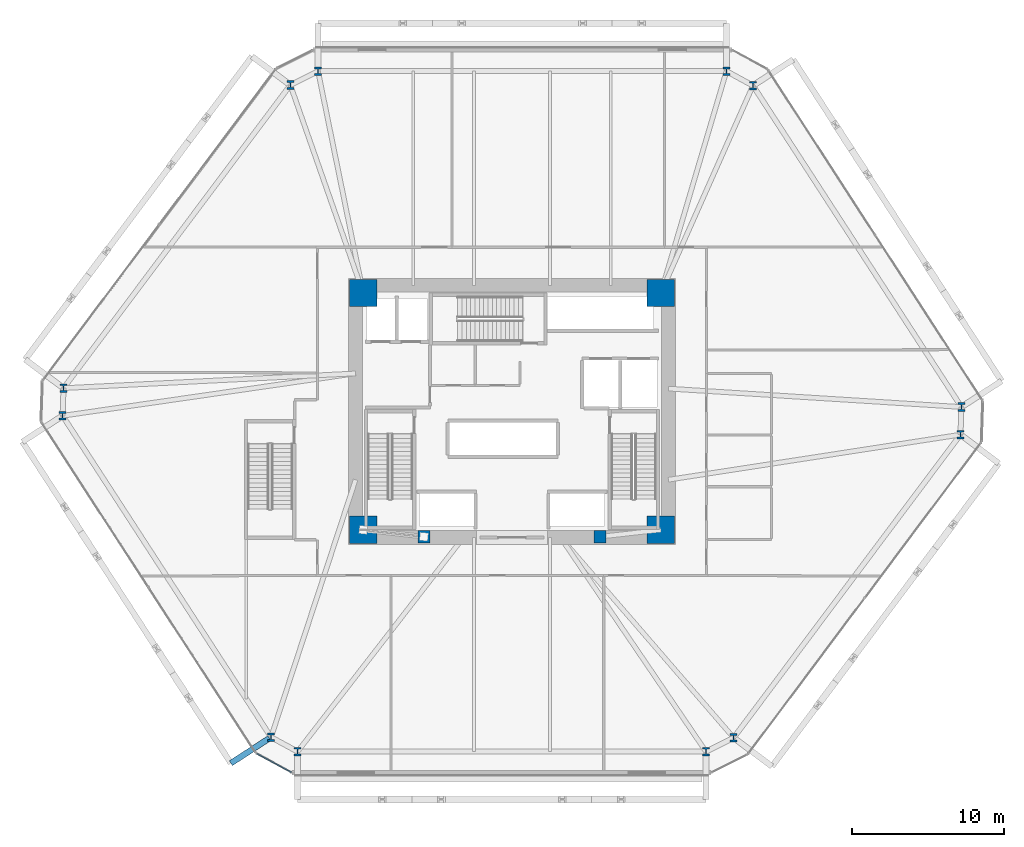
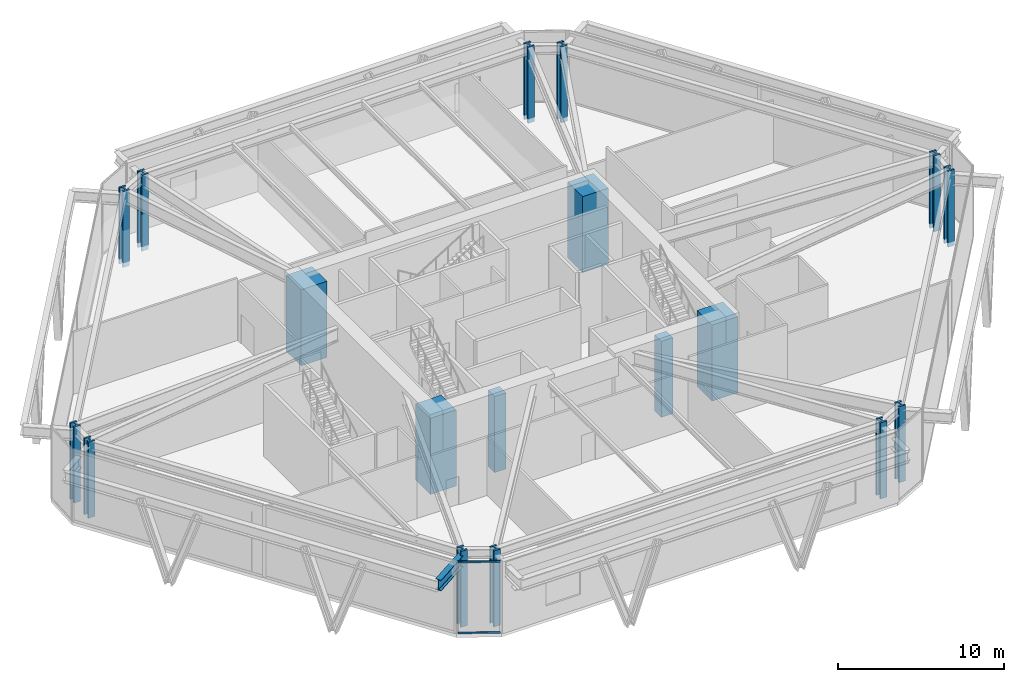
# One storey, part 1 of 19: 18 columns, 2 members, 1 beam, 1 element without a shape of its own.
"""IFC4 building model written with IfcOpenShell, lengths in metres."""

from ifc_helpers import new_model, si_unit, direction, frame, origin, origin_2d, place, context, subcontext, project, spatial, rectangle, i_section, extrude, source, transform, mapped, material, layer, layer_set, material_profile, profile_set, type_object, type_shapes, element, aggregate, save


model = new_model("IFC4")

# Units and contexts
model_context = context("Model", 3, precision=1e-05, world=origin(), true_north=direction((0.0, 1.0)))
body_context = subcontext(model_context, "Body", "Model", "MODEL_VIEW")
ifc_project = project(units=[si_unit("LENGTHUNIT", "METRE"), si_unit("AREAUNIT", "SQUARE_METRE"), si_unit("VOLUMEUNIT", "CUBIC_METRE"), si_unit("PLANEANGLEUNIT", "RADIAN"), si_unit("MASSUNIT", "GRAM", prefix="KILO")], contexts=[model_context])

# Site, building, storey
site_placement = place(None, origin())
site = spatial("IfcSite", under=ifc_project, at=site_placement, CompositionType="ELEMENT")
building_placement = place(site_placement, origin())
building = spatial("IfcBuilding", under=site, at=building_placement, Name="Durnholm Broadcast Tower", CompositionType="ELEMENT")
storey_placement = place(building_placement, frame((0.0, 0.0, 15.60009765625)))
storey = spatial("IfcBuildingStorey", under=building, at=storey_placement, Name="L03", CompositionType="ELEMENT", Elevation=15.60009765625)

# Columns
ifc_material_1 = material(Name="Concrete C70/85", Category="concrete")
ifc_material_profile_1 = material_profile(ifc_material_1, rectangle(XDim=1.800048828125, YDim=1.800048828125, at=origin_2d()), Name="RC1800X1800")
ifc_profile_set_1 = profile_set([ifc_material_profile_1], Name="Concrete C70/85")
column_type_1 = type_object("IfcColumnType", Name="COL-CC-1800", PredefinedType="COLUMN", material=ifc_profile_set_1)
shared_shape_1 = source(origin(), body_context, "Body", "SweptSolid", [
    extrude(rectangle(XDim=1.800048828125, YDim=1.800048828125, at=origin_2d()), origin(), (0.0, 0.0, 1.0), 5.599853515625),
])
type_shapes(column_type_1, [shared_shape_1])
for number, where, z_axis, x_axis, name in (
    (1, (-9.800048828125, -7.800048828125, -0.320068359375), (0.0, 0.0, 1.0), (1.0, 0.0, 0.0), "L03 core corner column 1"),
    (2, (9.800048828125, -7.800048828125, -0.320068359375), (0.0, 0.0, 1.0), (1.0, 0.0, 0.0), "L03 core corner column 2"),
    (3, (9.800048828125, 7.800048828125, -0.320068359375), (0.0, 0.0, 1.0), (1.0, 0.0, 0.0), "L03 core corner column 3"),
    (4, (-9.800048828125, 7.800048828125, -0.320068359375), (0.0, 0.0, 1.0), (1.0, 0.0, 0.0), "L03 core corner column 4"),
):
    element("IfcColumn", number, at=place(storey_placement, frame(where, z_axis=z_axis, x_axis=x_axis)), inside=storey, type_object=column_type_1, Name=name, PredefinedType="COLUMN", context=body_context, shape_type="MappedRepresentation", body=[
        mapped(shared_shape_1, transform((0.0, 0.0, 0.0), x_axis=(1.0, 0.0, 0.0), y_axis=(0.0, 1.0, 0.0), z_axis=(0.0, 0.0, 1.0), scale=1.0)),
    ])
ifc_material_profile_2 = material_profile(ifc_material_1, rectangle(XDim=0.800048828125, YDim=0.800048828125, at=origin_2d()), Name="RC800X800")
ifc_profile_set_2 = profile_set([ifc_material_profile_2], Name="Concrete C70/85")
column_type_2 = type_object("IfcColumnType", Name="COL-CP-800", PredefinedType="PILASTER", material=ifc_profile_set_2)
shared_shape_2 = source(origin(), body_context, "Body", "SweptSolid", [
    extrude(rectangle(XDim=0.800048828125, YDim=0.800048828125, at=origin_2d()), origin(), (0.0, 0.0, 1.0), 5.599853515625),
])
type_shapes(column_type_2, [shared_shape_2])
for number, where, z_axis, x_axis, name in (
    (5, (-5.800048828125, -8.25, -0.320068359375), (0.0, 0.0, 1.0), (1.0, 0.0, 0.0), "L03 core hall structural pilaster 1"),
    (6, (5.800048828125, -8.25, -0.320068359375), (0.0, 0.0, 1.0), (1.0, 0.0, 0.0), "L03 core hall structural pilaster 2"),
):
    element("IfcColumn", number, at=place(storey_placement, frame(where, z_axis=z_axis, x_axis=x_axis)), inside=storey, type_object=column_type_2, Name=name, PredefinedType="PILASTER", context=body_context, shape_type="MappedRepresentation", body=[
        mapped(shared_shape_2, transform((0.0, 0.0, 0.0), x_axis=(1.0, 0.0, 0.0), y_axis=(0.0, 1.0, 0.0), z_axis=(0.0, 0.0, 1.0), scale=1.0)),
    ])
ifc_material_2 = material(Name="Steel ASTM A913 Grade 65", Category="steel")
ifc_material_profile_3 = material_profile(ifc_material_2, i_section(OverallWidth=0.454345703125, OverallDepth=0.569091796875, WebThickness=0.077880859375, FlangeThickness=0.124755859375, FilletRadius=0.030517578125, at=origin_2d()), Name="W14X730")
ifc_profile_set_3 = profile_set([ifc_material_profile_3], Name="Steel ASTM A913 Grade 65")
column_type_3 = type_object("IfcColumnType", Name="STL-SC-W14X730", PredefinedType="COLUMN", material=ifc_profile_set_3)
shared_shape_3 = source(origin(), body_context, "Body", "SweptSolid", [
    extrude(i_section(OverallWidth=0.454345703125, OverallDepth=0.569091796875, WebThickness=0.077880859375, FlangeThickness=0.124755859375, FilletRadius=0.030517578125, at=origin_2d()), origin(), (0.0, 0.0, 1.0), 5.599853515625),
])
type_shapes(column_type_3, [shared_shape_3])
for number, where, z_axis, x_axis, name in (
    (7, (-15.866455078125, -21.45068359375, -0.320068359375), (0.0, 0.0, 1.0), (1.0, 0.0, 0.0), "L03 perimeter hexagonal tube column 01"),
    (8, (-29.590576171875, -0.28857421875, -0.320068359375), (0.0, 0.0, 1.0), (1.0, 0.0, 0.0), "L03 perimeter hexagonal tube column 02"),
    (9, (-29.529296875, 1.530517578125, -0.320068359375), (0.0, 0.0, 1.0), (1.0, 0.0, 0.0), "L03 perimeter hexagonal tube column 03"),
    (10, (-14.594482421875, 21.487548828125, -0.320068359375), (0.0, 0.0, 1.0), (1.0, 0.0, 0.0), "L03 perimeter hexagonal tube column 04"),
    (11, (-12.77197265625, 22.39990234375, -0.320068359375), (0.0, 0.0, 1.0), (1.0, 0.0, 0.0), "L03 perimeter hexagonal tube column 05"),
    (12, (14.119384765625, 22.39990234375, -0.320068359375), (0.0, 0.0, 1.0), (1.0, 0.0, 0.0), "L03 perimeter hexagonal tube column 06"),
    (13, (15.866455078125, 21.45068359375, -0.320068359375), (0.0, 0.0, 1.0), (1.0, 0.0, 0.0), "L03 perimeter hexagonal tube column 07"),
    (14, (29.590576171875, 0.28857421875, -0.320068359375), (0.0, 0.0, 1.0), (1.0, 0.0, 0.0), "L03 perimeter hexagonal tube column 08"),
    (15, (29.529296875, -1.530517578125, -0.320068359375), (0.0, 0.0, 1.0), (1.0, 0.0, 0.0), "L03 perimeter hexagonal tube column 09"),
    (16, (14.594482421875, -21.487548828125, -0.320068359375), (0.0, 0.0, 1.0), (1.0, 0.0, 0.0), "L03 perimeter hexagonal tube column 10"),
    (17, (12.77197265625, -22.39990234375, -0.320068359375), (0.0, 0.0, 1.0), (1.0, 0.0, 0.0), "L03 perimeter hexagonal tube column 11"),
    (18, (-14.119384765625, -22.39990234375, -0.320068359375), (0.0, 0.0, 1.0), (1.0, 0.0, 0.0), "L03 perimeter hexagonal tube column 12"),
):
    element("IfcColumn", number, at=place(storey_placement, frame(where, z_axis=z_axis, x_axis=x_axis)), inside=storey, type_object=column_type_3, Name=name, PredefinedType="COLUMN", context=body_context, shape_type="MappedRepresentation", body=[
        mapped(shared_shape_3, transform((0.0, 0.0, 0.0), x_axis=(1.0, 0.0, 0.0), y_axis=(0.0, 1.0, 0.0), z_axis=(0.0, 0.0, 1.0), scale=1.0)),
    ])

# Beam
ifc_material_3 = material(Name="Steel ASTM A992 Grade 50", Category="steel")
ifc_material_profile_4 = material_profile(ifc_material_3, i_section(OverallWidth=0.385009765625, OverallDepth=0.802978515625, WebThickness=0.023681640625, FlangeThickness=0.0419921875, FilletRadius=0.032958984375, at=origin_2d()), Name="W30X261")
ifc_profile_set_4 = profile_set([ifc_material_profile_4], Name="Steel ASTM A992 Grade 50")
beam_type = type_object("IfcBeamType", Name="BM-EXO-TIE", PredefinedType="USERDEFINED", material=ifc_profile_set_4)
shared_shape_4 = source(origin(), body_context, "Body", "SweptSolid", [
    extrude(i_section(OverallWidth=0.385009765625, OverallDepth=0.802978515625, WebThickness=0.023681640625, FlangeThickness=0.0419921875, FilletRadius=0.032958984375, at=origin_2d()), origin(), (0.0, 0.0, 1.0), 3.024169921875),
])
type_shapes(beam_type, [shared_shape_4])
beam_placement = place(storey_placement, frame((-15.97216796875, -21.519287109375, 4.5283203125), z_axis=(-0.839049936056, -0.544054413459, 0.0), x_axis=(0.544054413459, -0.839049936056, 0.0)))
element("IfcBeam", 19, at=beam_placement, inside=storey, type_object=beam_type, Name="L03 exoskeleton stand-off tie bracket F6.2", ObjectType="GIRDER", PredefinedType="USERDEFINED", context=body_context, shape_type="MappedRepresentation", body=[
    mapped(shared_shape_4, transform((0.0, 0.0, 0.0), x_axis=(1.0, 0.0, 0.0), y_axis=(0.0, 1.0, 0.0), z_axis=(0.0, 0.0, 1.0), scale=1.0)),
])

# Curtain wall, members
ifc_material_4 = material(Name="Aluminium and Solar Control IGU", Category="aluminium")
ifc_layer = layer(ifc_material_4, 0.1650390625)
ifc_layer_set = layer_set([ifc_layer], Name="Aluminium and Solar Control IGU")
curtain_wall_type = type_object("IfcCurtainWallType", Name="CW-SYS-5", PredefinedType="NOTDEFINED", material=ifc_layer_set)
curtain_wall_placement = place(storey_placement, origin())
curtain_wall = element("IfcCurtainWall", 20, at=curtain_wall_placement, inside=storey, type_object=curtain_wall_type, Name="L03 curtain wall CW-CORNER CW-L03-CRN-11", PredefinedType="NOTDEFINED")
ifc_material_5 = material(Name="Aluminium 6063-T6", Category="aluminium")
ifc_material_profile_5 = material_profile(ifc_material_5, rectangle(XDim=0.06494140625, YDim=0.1298828125, at=origin_2d()), Name="CWT65X130")
ifc_profile_set_5 = profile_set([ifc_material_profile_5], Name="Aluminium 6063-T6")
member_type = type_object("IfcMemberType", Name="CW-SYS-5-TRN", PredefinedType="USERDEFINED", material=ifc_profile_set_5)
shared_shape_5 = source(origin(), body_context, "Body", "SweptSolid", [
    extrude(rectangle(XDim=0.06494140625, YDim=0.1298828125, at=origin_2d()), origin(), (0.0, 0.0, 1.0), 2.56982421875),
])
type_shapes(member_type, [shared_shape_5])
member_1_placement = place(storey_placement, frame((-14.5322265625, -23.76904296875, 0.032470703125), z_axis=(-0.878649635893, 0.47746708509, 0.0), x_axis=(-0.47746708509, -0.878649635893, 0.0)))
member_1 = element("IfcMember", 21, at=member_1_placement, type_object=member_type, Name="CW-CORNER transom 1.1", ObjectType="TRANSOM", PredefinedType="USERDEFINED", context=body_context, shape_type="MappedRepresentation", body=[
    mapped(shared_shape_5, transform((0.0, 0.0, 0.0), x_axis=(1.0, 0.0, 0.0), y_axis=(0.0, 1.0, 0.0), z_axis=(0.0, 0.0, 1.0), scale=1.0)),
])
member_2_placement = place(storey_placement, frame((-14.5322265625, -23.76904296875, 5.247314453125), z_axis=(-0.878649635893, 0.47746708509, 0.0), x_axis=(-0.47746708509, -0.878649635893, 0.0)))
member_2 = element("IfcMember", 22, at=member_2_placement, type_object=member_type, Name="CW-CORNER transom 1.2", ObjectType="TRANSOM", PredefinedType="USERDEFINED", context=body_context, shape_type="MappedRepresentation", body=[
    mapped(shared_shape_5, transform((0.0, 0.0, 0.0), x_axis=(1.0, 0.0, 0.0), y_axis=(0.0, 1.0, 0.0), z_axis=(0.0, 0.0, 1.0), scale=1.0)),
])
aggregate(curtain_wall, [member_1, member_2])

save(model, "model.ifc")
